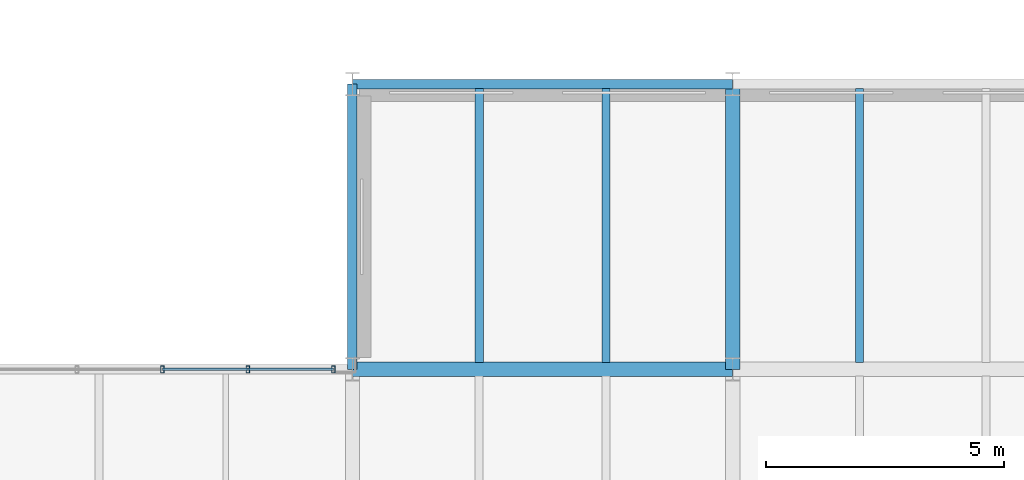
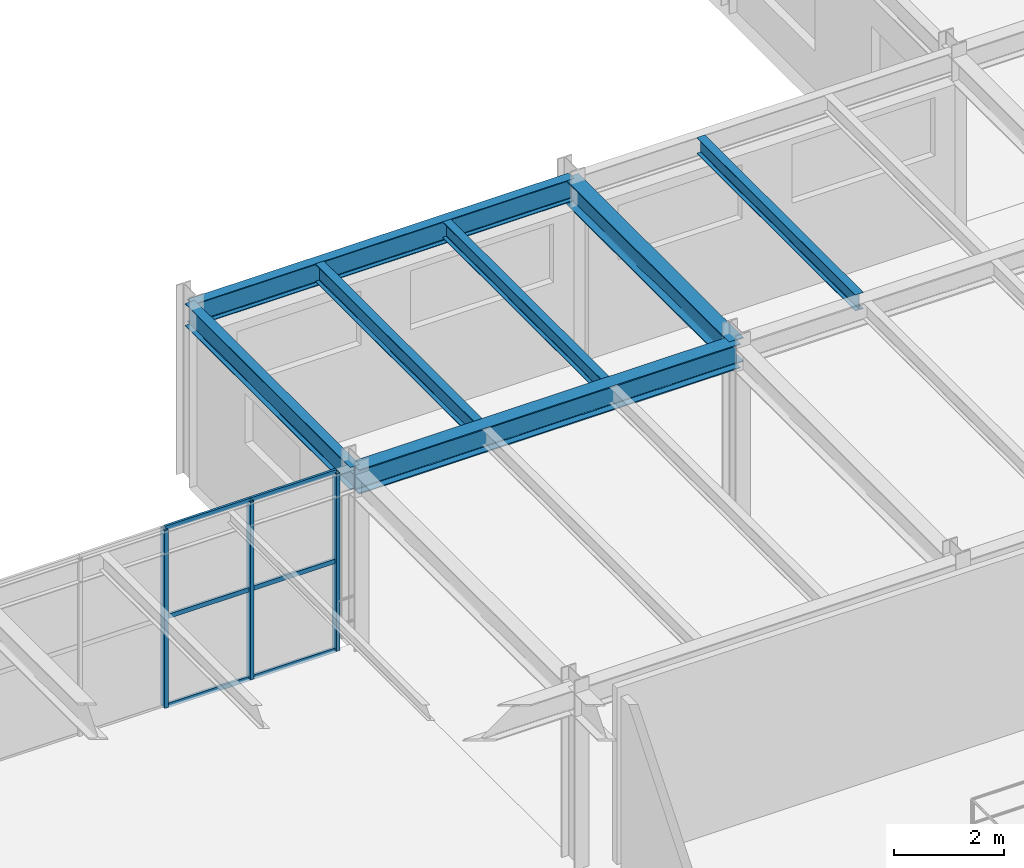
# One storey, part 40 of 122: 9 members, 7 beams, 1 element without a shape of its own.
"""IFC4 building model written with IfcOpenShell, lengths in metres."""

from ifc_helpers import new_model, si_unit, direction, frame, origin, origin_2d, place, context, subcontext, project, spatial, hollow_rectangle, i_section, extrude, material, material_profile, profile_set, type_object, element, aggregate, save


model = new_model("IFC4")

# Units and contexts
model_context = context("Model", 3, precision=1e-05, world=origin(), true_north=direction((0.0, 1.0)))
body_context = subcontext(model_context, "Body", "Model", "MODEL_VIEW")
ifc_project = project(units=[si_unit("LENGTHUNIT", "METRE"), si_unit("AREAUNIT", "SQUARE_METRE"), si_unit("VOLUMEUNIT", "CUBIC_METRE"), si_unit("PLANEANGLEUNIT", "RADIAN"), si_unit("MASSUNIT", "GRAM", prefix="KILO")], contexts=[model_context])

# Site, building, storey
site_placement = place(None, origin())
site = spatial("IfcSite", under=ifc_project, at=site_placement, CompositionType="ELEMENT")
building_placement = place(site_placement, origin())
building = spatial("IfcBuilding", under=site, at=building_placement, Name="Sundkrona Museum", CompositionType="ELEMENT")
storey_placement = place(building_placement, frame((0.0, 0.0, 5.39990234375)))
storey = spatial("IfcBuildingStorey", under=building, at=storey_placement, Name="L01", CompositionType="ELEMENT", Elevation=5.39990234375)

# Beams
ifc_material_1 = material(Name="Steel S355J2", Category="steel")
ifc_material_profile_1 = material_profile(ifc_material_1, i_section(OverallWidth=0.300048828125, OverallDepth=0.5400390625, WebThickness=0.012451171875, FlangeThickness=0.02392578125, FilletRadius=0.027099609375, at=origin_2d()), Name="HEA 550")
ifc_profile_set_1 = profile_set([ifc_material_profile_1], Name="Steel S355J2")
beam_type_1 = type_object("IfcBeamType", Name="B-HEA550", PredefinedType="BEAM", material=ifc_profile_set_1)
beam_1_placement = place(storey_placement, frame((120.0, 40.0, 3.650146484375), z_axis=(1.0, 0.0, 0.0), x_axis=(0.0, 1.0, 0.0)))
element("IfcBeam", 1, at=beam_1_placement, inside=storey, type_object=beam_type_1, Name="L01 Girder X-0854", PredefinedType="BEAM", context=body_context, shape_type="SweptSolid", body=[
    extrude(i_section(OverallWidth=0.300048828125, OverallDepth=0.5400390625, WebThickness=0.012451171875, FlangeThickness=0.02392578125, FilletRadius=0.027099609375, at=origin_2d()), origin(), (0.0, 0.0, 1.0), 8.0),
])
beam_2_placement = place(storey_placement, frame((128.0, 40.0, 3.650146484375), z_axis=(0.0, 1.0, 0.0), x_axis=(-1.0, 0.0, 0.0)))
element("IfcBeam", 2, at=beam_2_placement, inside=storey, type_object=beam_type_1, Name="L01 Girder Y-1052", PredefinedType="BEAM", context=body_context, shape_type="SweptSolid", body=[
    extrude(i_section(OverallWidth=0.300048828125, OverallDepth=0.5400390625, WebThickness=0.012451171875, FlangeThickness=0.02392578125, FilletRadius=0.027099609375, at=origin_2d()), origin(), (0.0, 0.0, 1.0), 6.0),
])
ifc_material_profile_2 = material_profile(ifc_material_1, i_section(OverallWidth=0.169921875, OverallDepth=0.360107421875, WebThickness=0.008056640625, FlangeThickness=0.0126953125, FilletRadius=0.01806640625, at=origin_2d()), Name="IPE 360")
ifc_profile_set_2 = profile_set([ifc_material_profile_2], Name="Steel S355J2")
beam_type_2 = type_object("IfcBeamType", Name="J-IPE360", PredefinedType="JOIST", material=ifc_profile_set_2)
for number, where, z_axis, x_axis, name in (
    (3, (125.333251953125, 40.14404296875, 3.739990234375), (0.0, 1.0, 0.0), (-1.0, 0.0, 0.0), "L01 Composite Joist 0671"),
    (4, (130.666748046875, 40.14404296875, 3.739990234375), (0.0, 1.0, 0.0), (-1.0, 0.0, 0.0), "L01 Composite Joist 0678"),
):
    element("IfcBeam", number, at=place(storey_placement, frame(where, z_axis=z_axis, x_axis=x_axis)), inside=storey, type_object=beam_type_2, Name=name, PredefinedType="JOIST", context=body_context, shape_type="SweptSolid", body=[
        extrude(i_section(OverallWidth=0.169921875, OverallDepth=0.360107421875, WebThickness=0.008056640625, FlangeThickness=0.0126953125, FilletRadius=0.01806640625, at=origin_2d()), origin(), (0.0, 0.0, 1.0), 5.761962890625),
    ])
ifc_material_profile_3 = material_profile(ifc_material_1, i_section(OverallWidth=0.179931640625, OverallDepth=0.39990234375, WebThickness=0.008544921875, FlangeThickness=0.013427734375, FilletRadius=0.02099609375, at=origin_2d()), Name="IPE 400")
ifc_profile_set_3 = profile_set([ifc_material_profile_3], Name="Steel S355J2")
beam_type_3 = type_object("IfcBeamType", Name="J-IPE400", PredefinedType="JOIST", material=ifc_profile_set_3)
beam_3_placement = place(storey_placement, frame((122.666748046875, 40.14404296875, 3.72021484375), z_axis=(0.0, 1.0, 0.0), x_axis=(-1.0, 0.0, 0.0)))
element("IfcBeam", 5, at=beam_3_placement, inside=storey, type_object=beam_type_3, Name="L01 Composite Joist 0670", PredefinedType="JOIST", context=body_context, shape_type="SweptSolid", body=[
    extrude(i_section(OverallWidth=0.179931640625, OverallDepth=0.39990234375, WebThickness=0.008544921875, FlangeThickness=0.013427734375, FilletRadius=0.02099609375, at=origin_2d()), origin(), (0.0, 0.0, 1.0), 5.761962890625),
])

# Curtain wall, members
ifc_material_2 = material(Name="Unitised Aluminium-Steel and Ceramic-Clad Curtain Walling", Category="steel")
curtain_wall_type = type_object("IfcCurtainWallType", Name="CW-AT-72x38", PredefinedType="NOTDEFINED", material=ifc_material_2)
curtain_wall_placement = place(storey_placement, origin())
curtain_wall = element("IfcCurtainWall", 6, at=curtain_wall_placement, inside=storey, type_object=curtain_wall_type, Name="L01 Curtain Wall CW-L01-040", PredefinedType="NOTDEFINED")
ifc_material_3 = material(Name="Aluminium EN AW-6060 T66", Category="aluminium")
ifc_material_profile_4 = material_profile(ifc_material_3, hollow_rectangle(XDim=0.074951171875, YDim=0.14990234375, WallThickness=0.00634765625, at=origin_2d()), Name="RHS 150x75x6.3")
ifc_profile_set_4 = profile_set([ifc_material_profile_4], Name="Aluminium EN AW-6060 T66")
member_type_1 = type_object("IfcMemberType", Name="ML-150", PredefinedType="MULLION", material=ifc_profile_set_4)
member_1_placement = place(storey_placement, frame((116.0, 40.0, -0.00390625), z_axis=(0.0, 0.0, 1.0), x_axis=(1.0, 0.0, 0.0)))
member_1 = element("IfcMember", 7, at=member_1_placement, type_object=member_type_1, Name="CW-L01-040 Mullion 03", PredefinedType="MULLION", context=body_context, shape_type="SweptSolid", body=[
    extrude(hollow_rectangle(XDim=0.074951171875, YDim=0.14990234375, WallThickness=0.00634765625, at=origin_2d()), origin(), (0.0, 0.0, 1.0), 3.947998046875),
])
member_2_placement = place(storey_placement, frame((117.800048828125, 40.0, -0.00390625), z_axis=(0.0, 0.0, 1.0), x_axis=(1.0, 0.0, 0.0)))
member_2 = element("IfcMember", 8, at=member_2_placement, type_object=member_type_1, Name="CW-L01-040 Mullion 04", PredefinedType="MULLION", context=body_context, shape_type="SweptSolid", body=[
    extrude(hollow_rectangle(XDim=0.074951171875, YDim=0.14990234375, WallThickness=0.00634765625, at=origin_2d()), origin(), (0.0, 0.0, 1.0), 3.947998046875),
])
member_3_placement = place(storey_placement, frame((119.60009765625, 40.0, -0.00390625), z_axis=(0.0, 0.0, 1.0), x_axis=(1.0, 0.0, 0.0)))
member_3 = element("IfcMember", 9, at=member_3_placement, type_object=member_type_1, Name="CW-L01-040 Mullion 05", PredefinedType="MULLION", context=body_context, shape_type="SweptSolid", body=[
    extrude(hollow_rectangle(XDim=0.074951171875, YDim=0.14990234375, WallThickness=0.00634765625, at=origin_2d()), origin(), (0.0, 0.0, 1.0), 3.947998046875),
])

# Beams
ifc_material_profile_5 = material_profile(ifc_material_1, i_section(OverallWidth=0.199951171875, OverallDepth=0.5, WebThickness=0.01025390625, FlangeThickness=0.01611328125, FilletRadius=0.02099609375, at=origin_2d()), Name="IPE 500")
ifc_profile_set_5 = profile_set([ifc_material_profile_5], Name="Steel S355J2")
beam_type_4 = type_object("IfcBeamType", Name="SP-IPE500", PredefinedType="SPANDREL", material=ifc_profile_set_5)
beam_4_placement = place(storey_placement, frame((120.0, 46.0, 3.670166015625), z_axis=(1.0, 0.0, 0.0), x_axis=(0.0, 1.0, 0.0)))
element("IfcBeam", 10, at=beam_4_placement, inside=storey, type_object=beam_type_4, Name="L01 Girder X-0861", PredefinedType="SPANDREL", context=body_context, shape_type="SweptSolid", body=[
    extrude(i_section(OverallWidth=0.199951171875, OverallDepth=0.5, WebThickness=0.01025390625, FlangeThickness=0.01611328125, FilletRadius=0.02099609375, at=origin_2d()), origin(), (0.0, 0.0, 1.0), 8.0),
])
beam_5_placement = place(storey_placement, frame((120.0, 40.0, 3.670166015625), z_axis=(0.0, 1.0, 0.0), x_axis=(-1.0, 0.0, 0.0)))
element("IfcBeam", 11, at=beam_5_placement, inside=storey, type_object=beam_type_4, Name="L01 Girder Y-1047", PredefinedType="SPANDREL", context=body_context, shape_type="SweptSolid", body=[
    extrude(i_section(OverallWidth=0.199951171875, OverallDepth=0.5, WebThickness=0.01025390625, FlangeThickness=0.01611328125, FilletRadius=0.02099609375, at=origin_2d()), origin(), (0.0, 0.0, 1.0), 6.0),
])

# Member
ifc_material_profile_6 = material_profile(ifc_material_3, hollow_rectangle(XDim=0.050048828125, YDim=0.10009765625, WallThickness=0.0048828125, at=origin_2d()), Name="RHS 100x50x5.0")
ifc_profile_set_6 = profile_set([ifc_material_profile_6], Name="Aluminium EN AW-6060 T66")
member_type_2 = type_object("IfcMemberType", Name="TR-100", PredefinedType="USERDEFINED", material=ifc_profile_set_6)
member_4_placement = place(storey_placement, frame((116.0, 40.0, -0.00390625), z_axis=(1.0, 0.0, 0.0), x_axis=(0.0, 1.0, 0.0)))
member_4 = element("IfcMember", 12, at=member_4_placement, type_object=member_type_2, Name="CW-L01-040 Transom 07", ObjectType="TRANSOM", PredefinedType="USERDEFINED", context=body_context, shape_type="SweptSolid", body=[
    extrude(hollow_rectangle(XDim=0.050048828125, YDim=0.10009765625, WallThickness=0.0048828125, at=origin_2d()), origin(), (0.0, 0.0, 1.0), 1.800048828125),
])

member_5_placement = place(storey_placement, frame((116.0, 40.0, 1.97021484375), z_axis=(1.0, 0.0, 0.0), x_axis=(0.0, 1.0, 0.0)))
member_5 = element("IfcMember", 13, at=member_5_placement, type_object=member_type_2, Name="CW-L01-040 Transom 08", ObjectType="TRANSOM", PredefinedType="USERDEFINED", context=body_context, shape_type="SweptSolid", body=[
    extrude(hollow_rectangle(XDim=0.050048828125, YDim=0.10009765625, WallThickness=0.0048828125, at=origin_2d()), origin(), (0.0, 0.0, 1.0), 1.800048828125),
])

member_6_placement = place(storey_placement, frame((116.0, 40.0, 3.944091796875), z_axis=(1.0, 0.0, 0.0), x_axis=(0.0, 1.0, 0.0)))
member_6 = element("IfcMember", 14, at=member_6_placement, type_object=member_type_2, Name="CW-L01-040 Transom 09", ObjectType="TRANSOM", PredefinedType="USERDEFINED", context=body_context, shape_type="SweptSolid", body=[
    extrude(hollow_rectangle(XDim=0.050048828125, YDim=0.10009765625, WallThickness=0.0048828125, at=origin_2d()), origin(), (0.0, 0.0, 1.0), 1.800048828125),
])

member_7_placement = place(storey_placement, frame((117.800048828125, 40.0, -0.00390625), z_axis=(1.0, 0.0, 0.0), x_axis=(0.0, 1.0, 0.0)))
member_7 = element("IfcMember", 15, at=member_7_placement, type_object=member_type_2, Name="CW-L01-040 Transom 10", ObjectType="TRANSOM", PredefinedType="USERDEFINED", context=body_context, shape_type="SweptSolid", body=[
    extrude(hollow_rectangle(XDim=0.050048828125, YDim=0.10009765625, WallThickness=0.0048828125, at=origin_2d()), origin(), (0.0, 0.0, 1.0), 1.800048828125),
])

member_8_placement = place(storey_placement, frame((117.800048828125, 40.0, 1.97021484375), z_axis=(1.0, 0.0, 0.0), x_axis=(0.0, 1.0, 0.0)))
member_8 = element("IfcMember", 16, at=member_8_placement, type_object=member_type_2, Name="CW-L01-040 Transom 11", ObjectType="TRANSOM", PredefinedType="USERDEFINED", context=body_context, shape_type="SweptSolid", body=[
    extrude(hollow_rectangle(XDim=0.050048828125, YDim=0.10009765625, WallThickness=0.0048828125, at=origin_2d()), origin(), (0.0, 0.0, 1.0), 1.800048828125),
])

member_9_placement = place(storey_placement, frame((117.800048828125, 40.0, 3.944091796875), z_axis=(1.0, 0.0, 0.0), x_axis=(0.0, 1.0, 0.0)))
member_9 = element("IfcMember", 17, at=member_9_placement, type_object=member_type_2, Name="CW-L01-040 Transom 12", ObjectType="TRANSOM", PredefinedType="USERDEFINED", context=body_context, shape_type="SweptSolid", body=[
    extrude(hollow_rectangle(XDim=0.050048828125, YDim=0.10009765625, WallThickness=0.0048828125, at=origin_2d()), origin(), (0.0, 0.0, 1.0), 1.800048828125),
])

aggregate(curtain_wall, [member_1, member_2, member_3, member_4, member_5, member_6, member_7, member_8, member_9])

save(model, "model.ifc")
